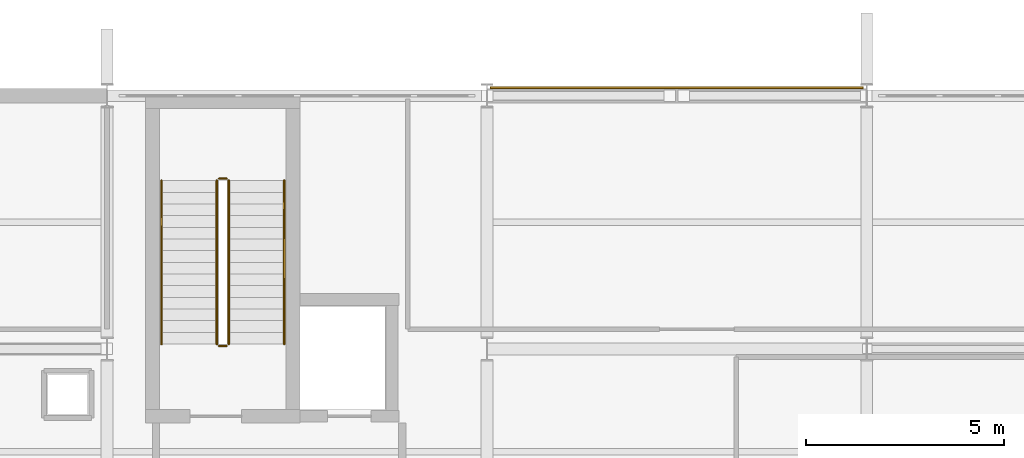
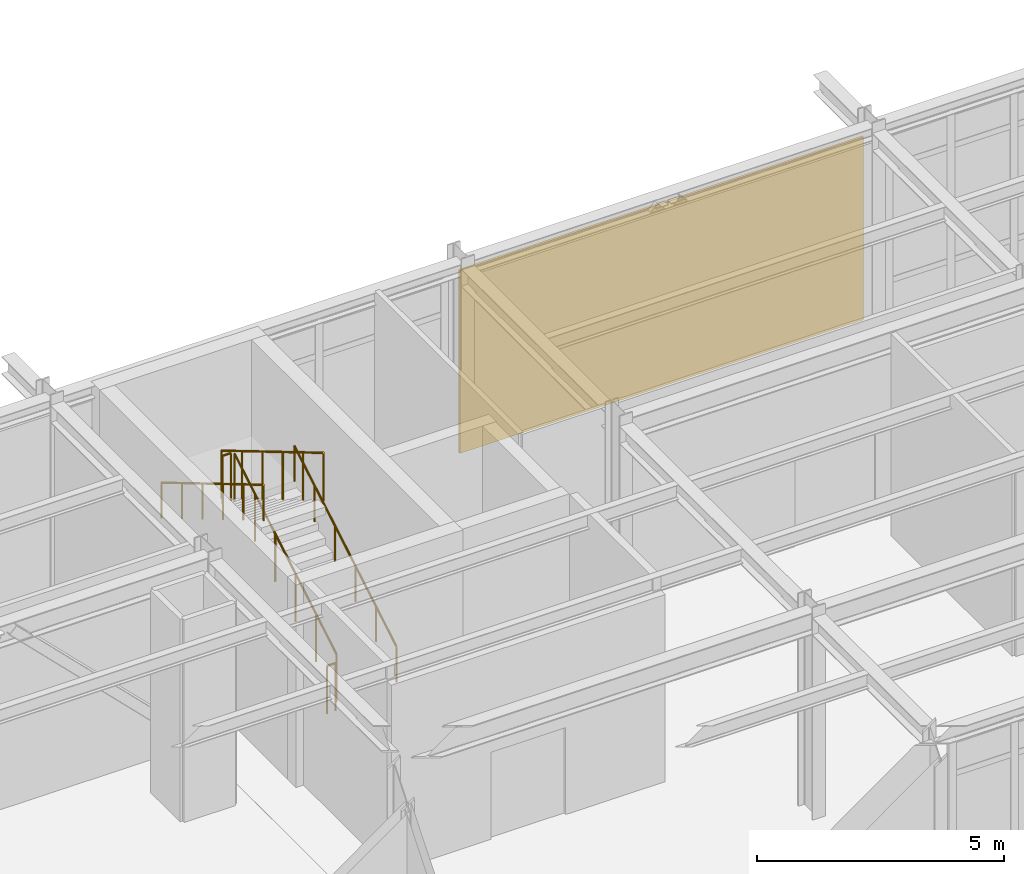
# One storey, part 107 of 109: 6 railings, 1 covering.
"""IFC4 building model written with IfcOpenShell, lengths in metres."""

from ifc_helpers import new_model, si_unit, direction, frame, origin, origin_2d, place, context, subcontext, project, spatial, rectangle, circle, extrude, material, layer, layer_set, type_object, element, save


model = new_model("IFC4")

# Units and contexts
model_context = context("Model", 3, precision=1e-05, world=origin(), true_north=direction((0.0, 1.0)))
body_context = subcontext(model_context, "Body", "Model", "MODEL_VIEW")
ifc_project = project(units=[si_unit("LENGTHUNIT", "METRE"), si_unit("AREAUNIT", "SQUARE_METRE"), si_unit("VOLUMEUNIT", "CUBIC_METRE"), si_unit("PLANEANGLEUNIT", "RADIAN"), si_unit("MASSUNIT", "GRAM", prefix="KILO")], contexts=[model_context])

# Site, building, storey
site_placement = place(None, origin())
site = spatial("IfcSite", under=ifc_project, at=site_placement, CompositionType="ELEMENT")
building_placement = place(site_placement, origin())
building = spatial("IfcBuilding", under=site, at=building_placement, Name="Nordkorset Police Headquarters", CompositionType="ELEMENT")
storey_placement = place(building_placement, origin())
storey = spatial("IfcBuildingStorey", under=building, at=storey_placement, Name="L00", CompositionType="ELEMENT", Elevation=0.0)

# Covering
ifc_material_1 = material(Name="Nordic granite cladding", Category="masonry")
ifc_layer_1 = layer(ifc_material_1, 0.050048828125, Name="Nordic granite cladding")
ifc_layer_set_1 = layer_set([ifc_layer_1], Name="Nordic granite cladding")
covering_type = type_object("IfcCoveringType", Name="Cladding_Nordic_Granite", PredefinedType="CLADDING", material=ifc_layer_set_1)
covering_placement = place(storey_placement, frame((72.0, 117.0048828125, 0.074951171875), z_axis=(0.0, 0.0, 1.0), x_axis=(1.0, 0.0, 0.0)))
element("IfcCovering", 1, at=covering_placement, inside=storey, type_object=covering_type, Name="Nordic Granite Rainscreen Cladding L00 V2N-4", PredefinedType="CLADDING", context=body_context, shape_type="SweptSolid", body=[
    extrude(rectangle(XDim=9.430419921875, YDim=0.050048828125, at=origin_2d()), origin(), (0.0, 0.0, 1.0), 4.52001953125),
])

# Railings
ifc_material_2 = material(Name="Steel S355J2", Category="steel")
ifc_layer_2 = layer(ifc_material_2, 0.048095703125, Name="Steel S355J2")
ifc_layer_set_2 = layer_set([ifc_layer_2], Name="Steel S355J2")
railing_type_1 = type_object("IfcRailingType", Name="Railing_Handrail_900", PredefinedType="HANDRAIL", material=ifc_layer_set_2)
railing_1_placement = place(storey_placement, frame((62.074951171875, 110.52490234375, 0.175048828125)))
element("IfcRailing", 2, at=railing_1_placement, inside=storey, type_object=railing_type_1, Name="L00 ST-02 stair handrail 1", PredefinedType="HANDRAIL", context=body_context, shape_type="SweptSolid", body=[
    extrude(circle(Radius=0.02392578125, at=origin_2d()), frame((0.0, 0.0, 0.8759765625), z_axis=(0.0, 0.860065997128, 0.510182791345), x_axis=(-1.0, 0.0, 0.0)), (0.0, 0.0, 1.0), 4.802001953125),
    extrude(circle(Radius=0.02099609375, at=origin_2d()), origin(), (0.0, 0.0, 1.0), 0.851806640625),
    extrude(circle(Radius=0.02099609375, at=origin_2d()), frame((0.0, 0.825927734375, 0.489990234375)), (0.0, 0.0, 1.0), 0.851806640625),
    extrude(circle(Radius=0.02099609375, at=origin_2d()), frame((0.0, 1.652099609375, 0.97998046875)), (0.0, 0.0, 1.0), 0.851806640625),
    extrude(circle(Radius=0.02099609375, at=origin_2d()), frame((0.0, 2.47802734375, 1.469970703125)), (0.0, 0.0, 1.0), 0.851806640625),
    extrude(circle(Radius=0.02099609375, at=origin_2d()), frame((0.0, 3.30419921875, 1.9599609375)), (0.0, 0.0, 1.0), 0.851806640625),
    extrude(circle(Radius=0.02099609375, at=origin_2d()), frame((0.0, 4.130126953125, 2.449951171875)), (0.0, 0.0, 1.0), 0.851806640625),
])
railing_2_placement = place(storey_placement, frame((58.97509765625, 114.655029296875, 2.800048828125)))
element("IfcRailing", 3, at=railing_2_placement, inside=storey, type_object=railing_type_1, Name="L00 ST-02 stair handrail 2", PredefinedType="HANDRAIL", context=body_context, shape_type="SweptSolid", body=[
    extrude(circle(Radius=0.02392578125, at=origin_2d()), frame((0.0, 0.0, 0.8759765625), z_axis=(0.0, -0.860065997128, 0.510182791345), x_axis=(1.0, 0.0, 0.0)), (0.0, 0.0, 1.0), 4.802001953125),
    extrude(circle(Radius=0.02099609375, at=origin_2d()), origin(), (0.0, 0.0, 1.0), 0.851806640625),
    extrude(circle(Radius=0.02099609375, at=origin_2d()), frame((0.0, -0.825927734375, 0.489990234375)), (0.0, 0.0, 1.0), 0.851806640625),
    extrude(circle(Radius=0.02099609375, at=origin_2d()), frame((0.0, -1.652099609375, 0.97998046875)), (0.0, 0.0, 1.0), 0.851806640625),
    extrude(circle(Radius=0.02099609375, at=origin_2d()), frame((0.0, -2.47802734375, 1.469970703125)), (0.0, 0.0, 1.0), 0.851806640625),
    extrude(circle(Radius=0.02099609375, at=origin_2d()), frame((0.0, -3.30419921875, 1.9599609375)), (0.0, 0.0, 1.0), 0.851806640625),
    extrude(circle(Radius=0.02099609375, at=origin_2d()), frame((0.0, -4.130126953125, 2.449951171875)), (0.0, 0.0, 1.0), 0.851806640625),
])
ifc_material_3 = material(Name="Steel S355J2", Category="steel")
ifc_layer_3 = layer(ifc_material_3, 0.050048828125, Name="Steel S355J2")
ifc_layer_set_3 = layer_set([ifc_layer_3], Name="Steel S355J2")
railing_type_2 = type_object("IfcRailingType", Name="Railing_StairGuard_1200", PredefinedType="GUARDRAIL", material=ifc_layer_set_3)
railing_3_placement = place(storey_placement, frame((60.675048828125, 110.52490234375, 0.175048828125)))
element("IfcRailing", 4, at=railing_3_placement, inside=storey, type_object=railing_type_2, Name="L00 ST-02 stair guard 1", PredefinedType="GUARDRAIL", context=body_context, shape_type="SweptSolid", body=[
    extrude(circle(Radius=0.02392578125, at=origin_2d()), frame((0.0, 0.0, 1.17578125), z_axis=(0.0, 0.860065997128, 0.510182791345), x_axis=(-1.0, 0.0, 0.0)), (0.0, 0.0, 1.0), 4.802001953125),
    extrude(circle(Radius=0.02099609375, at=origin_2d()), origin(), (0.0, 0.0, 1.0), 1.15185546875),
    extrude(circle(Radius=0.02099609375, at=origin_2d()), frame((0.0, 0.825927734375, 0.489990234375)), (0.0, 0.0, 1.0), 1.15185546875),
    extrude(circle(Radius=0.02099609375, at=origin_2d()), frame((0.0, 1.652099609375, 0.97998046875)), (0.0, 0.0, 1.0), 1.15185546875),
    extrude(circle(Radius=0.02099609375, at=origin_2d()), frame((0.0, 2.47802734375, 1.469970703125)), (0.0, 0.0, 1.0), 1.15185546875),
    extrude(circle(Radius=0.02099609375, at=origin_2d()), frame((0.0, 3.30419921875, 1.9599609375)), (0.0, 0.0, 1.0), 1.15185546875),
    extrude(circle(Radius=0.02099609375, at=origin_2d()), frame((0.0, 4.130126953125, 2.449951171875)), (0.0, 0.0, 1.0), 1.15185546875),
])
railing_4_placement = place(storey_placement, frame((60.625, 114.705078125, 2.625)))
element("IfcRailing", 5, at=railing_4_placement, inside=storey, type_object=railing_type_2, Name="L00 ST-02 stair guard 2", PredefinedType="GUARDRAIL", context=body_context, shape_type="SweptSolid", body=[
    extrude(circle(Radius=0.02392578125, at=origin_2d()), frame((0.0, 0.0, 1.17578125), z_axis=(-1.0, 0.0, 0.0), x_axis=(0.0, -1.0, 0.0)), (0.0, 0.0, 1.0), 0.199951171875),
    extrude(circle(Radius=0.02099609375, at=origin_2d()), origin(), (0.0, 0.0, 1.0), 1.15185546875),
    extrude(circle(Radius=0.02099609375, at=origin_2d()), frame((-0.199951171875, 0.0, 0.0)), (0.0, 0.0, 1.0), 1.15185546875),
])
railing_5_placement = place(storey_placement, frame((60.375, 114.655029296875, 2.800048828125)))
element("IfcRailing", 6, at=railing_5_placement, inside=storey, type_object=railing_type_2, Name="L00 ST-02 stair guard 3", PredefinedType="GUARDRAIL", context=body_context, shape_type="SweptSolid", body=[
    extrude(circle(Radius=0.02392578125, at=origin_2d()), frame((0.0, 0.0, 1.17578125), z_axis=(0.0, -0.860065997128, 0.510182791345), x_axis=(1.0, 0.0, 0.0)), (0.0, 0.0, 1.0), 4.802001953125),
    extrude(circle(Radius=0.02099609375, at=origin_2d()), origin(), (0.0, 0.0, 1.0), 1.15185546875),
    extrude(circle(Radius=0.02099609375, at=origin_2d()), frame((0.0, -0.825927734375, 0.489990234375)), (0.0, 0.0, 1.0), 1.15185546875),
    extrude(circle(Radius=0.02099609375, at=origin_2d()), frame((0.0, -1.652099609375, 0.97998046875)), (0.0, 0.0, 1.0), 1.15185546875),
    extrude(circle(Radius=0.02099609375, at=origin_2d()), frame((0.0, -2.47802734375, 1.469970703125)), (0.0, 0.0, 1.0), 1.15185546875),
    extrude(circle(Radius=0.02099609375, at=origin_2d()), frame((0.0, -3.30419921875, 1.9599609375)), (0.0, 0.0, 1.0), 1.15185546875),
    extrude(circle(Radius=0.02099609375, at=origin_2d()), frame((0.0, -4.130126953125, 2.449951171875)), (0.0, 0.0, 1.0), 1.15185546875),
])
railing_6_placement = place(storey_placement, frame((60.625, 110.47509765625, 0.0)))
element("IfcRailing", 7, at=railing_6_placement, inside=storey, type_object=railing_type_2, Name="L00 ST-02 stair guard 4", PredefinedType="GUARDRAIL", context=body_context, shape_type="SweptSolid", body=[
    extrude(circle(Radius=0.02392578125, at=origin_2d()), frame((0.0, 0.0, 1.17578125), z_axis=(-1.0, 0.0, 0.0), x_axis=(0.0, -1.0, 0.0)), (0.0, 0.0, 1.0), 0.199951171875),
    extrude(circle(Radius=0.02099609375, at=origin_2d()), origin(), (0.0, 0.0, 1.0), 1.15185546875),
    extrude(circle(Radius=0.02099609375, at=origin_2d()), frame((-0.199951171875, 0.0, 0.0)), (0.0, 0.0, 1.0), 1.15185546875),
])

save(model, "model.ifc")
